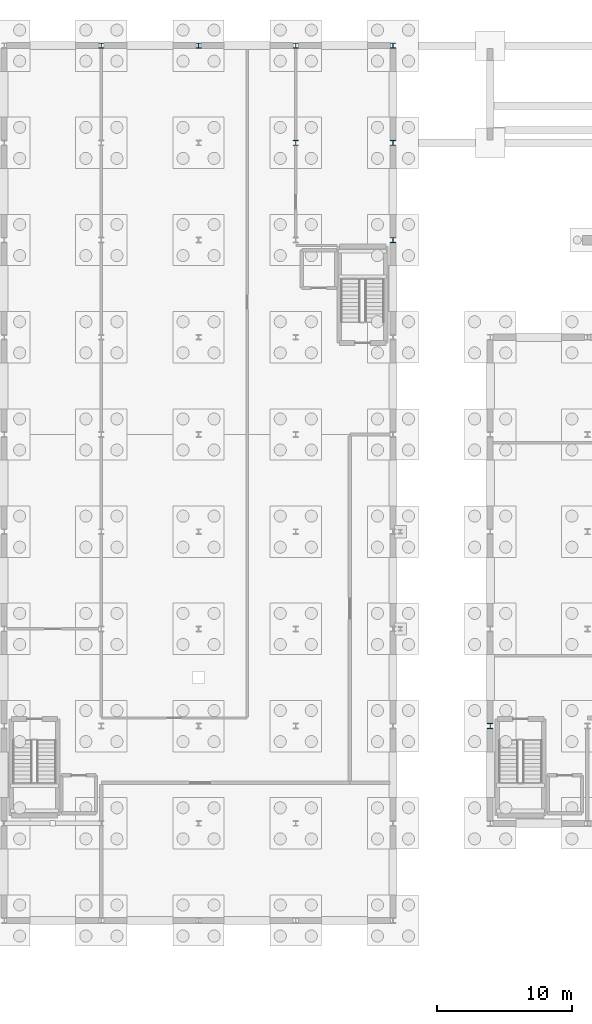
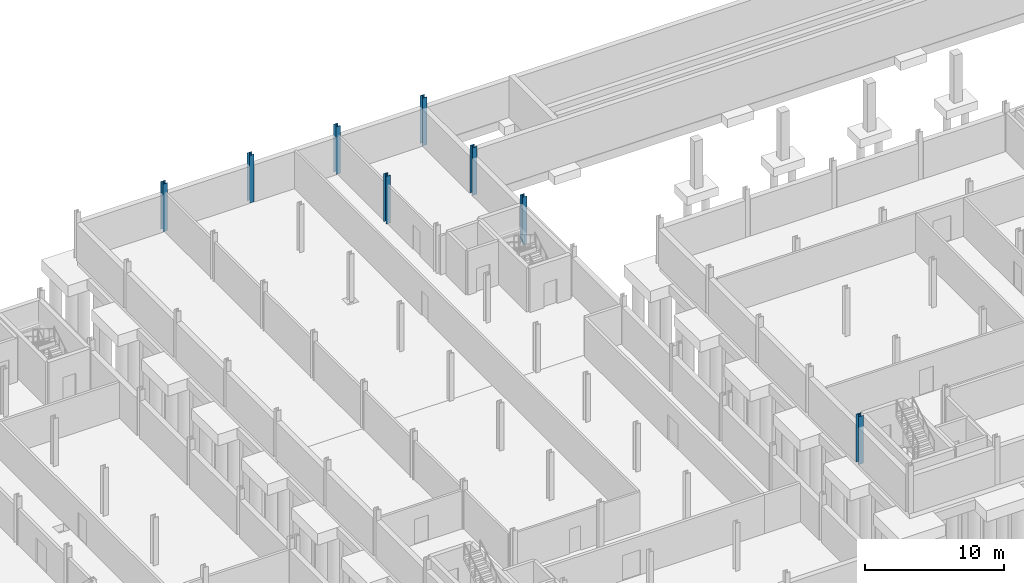
# One storey, part 18 of 50: 8 columns.
"""IFC4 building model written with IfcOpenShell, lengths in metres."""

from ifc_helpers import new_model, si_unit, direction, frame, origin, origin_2d, place, context, subcontext, project, spatial, i_section, extrude, material, material_profile, profile_set, type_object, element, save


model = new_model("IFC4")

# Units and contexts
model_context = context("Model", 3, precision=1e-05, world=origin(), true_north=direction((0.0, 1.0)))
body_context = subcontext(model_context, "Body", "Model", "MODEL_VIEW")
ifc_project = project(units=[si_unit("LENGTHUNIT", "METRE"), si_unit("AREAUNIT", "SQUARE_METRE"), si_unit("VOLUMEUNIT", "CUBIC_METRE"), si_unit("PLANEANGLEUNIT", "RADIAN"), si_unit("MASSUNIT", "GRAM", prefix="KILO")], contexts=[model_context])

# Site, building, storey
site_placement = place(None, origin())
site = spatial("IfcSite", under=ifc_project, at=site_placement, CompositionType="ELEMENT")
building_placement = place(site_placement, origin())
building = spatial("IfcBuilding", under=site, at=building_placement, Name="Narikvali Park Central Library", CompositionType="ELEMENT")
storey_placement = place(building_placement, frame((0.0, 0.0, -4.199951171875)))
storey = spatial("IfcBuildingStorey", under=building, at=storey_placement, Name="B1", CompositionType="ELEMENT", Elevation=-4.199951171875)

# Columns
ifc_material = material(Name="Steel S355", Category="steel")
ifc_material_profile_1 = material_profile(ifc_material, i_section(OverallWidth=0.375, OverallDepth=0.375, WebThickness=0.014892578125, FlangeThickness=0.0244140625, FilletRadius=0.014892578125, at=origin_2d()), Name="HD 360x216")
ifc_profile_set_1 = profile_set([ifc_material_profile_1], Name="Steel S355")
column_type_1 = type_object("IfcColumnType", Name="Atrium Corner Column HD360x216", PredefinedType="COLUMN", material=ifc_profile_set_1)
column_1_placement = place(storey_placement, frame((57.60009765625, 115.199951171875, 0.0), z_axis=(0.0, 0.0, 1.0), x_axis=(1.0, 0.0, 0.0)))
element("IfcColumn", 1, at=column_1_placement, inside=storey, type_object=column_type_1, Name="V4 B1 Column (57.6,115.2)", PredefinedType="COLUMN", context=body_context, shape_type="SweptSolid", body=[
    extrude(i_section(OverallWidth=0.375, OverallDepth=0.375, WebThickness=0.014892578125, FlangeThickness=0.0244140625, FilletRadius=0.014892578125, at=origin_2d()), origin(), (0.0, 0.0, 1.0), 4.199951171875),
])
ifc_material_profile_2 = material_profile(ifc_material, i_section(OverallWidth=0.3759765625, OverallDepth=0.3798828125, WebThickness=0.0166015625, FlangeThickness=0.026611328125, FilletRadius=0.014892578125, at=origin_2d()), Name="HD 360x237")
ifc_profile_set_2 = profile_set([ifc_material_profile_2], Name="Steel S355")
column_type_2 = type_object("IfcColumnType", Name="Atrium Edge Column HD360x237", PredefinedType="COLUMN", material=ifc_profile_set_2)
for number, where, z_axis, x_axis, name in (
    (2, (36.0, 115.199951171875, 0.0), (0.0, 0.0, 1.0), (1.0, 0.0, 0.0), "V4 B1 Column (36.0,115.2)"),
    (3, (43.199951171875, 115.199951171875, 0.0), (0.0, 0.0, 1.0), (1.0, 0.0, 0.0), "V4 B1 Column (43.2,115.2)"),
    (4, (50.39990234375, 115.199951171875, 0.0), (0.0, 0.0, 1.0), (1.0, 0.0, 0.0), "V4 B1 Column (50.4,115.2)"),
    (5, (57.60009765625, 100.800048828125, 0.0), (0.0, 0.0, 1.0), (1.0, 0.0, 0.0), "V4 B1 Column (57.6,100.8)"),
    (6, (57.60009765625, 108.0, 0.0), (0.0, 0.0, 1.0), (1.0, 0.0, 0.0), "V4 B1 Column (57.6,108.0)"),
):
    element("IfcColumn", number, at=place(storey_placement, frame(where, z_axis=z_axis, x_axis=x_axis)), inside=storey, type_object=column_type_2, Name=name, PredefinedType="COLUMN", context=body_context, shape_type="SweptSolid", body=[
        extrude(i_section(OverallWidth=0.3759765625, OverallDepth=0.3798828125, WebThickness=0.0166015625, FlangeThickness=0.026611328125, FilletRadius=0.014892578125, at=origin_2d()), origin(), (0.0, 0.0, 1.0), 4.199951171875),
    ])
ifc_material_profile_3 = material_profile(ifc_material, i_section(OverallWidth=0.3779296875, OverallDepth=0.386962890625, WebThickness=0.01806640625, FlangeThickness=0.029052734375, FilletRadius=0.014892578125, at=origin_2d()), Name="HD 360x262")
ifc_profile_set_3 = profile_set([ifc_material_profile_3], Name="Steel S355")
column_type_3 = type_object("IfcColumnType", Name="Atrium Interior Column HD360x262", PredefinedType="COLUMN", material=ifc_profile_set_3)
column_2_placement = place(storey_placement, frame((50.39990234375, 108.0, 0.0), z_axis=(0.0, 0.0, 1.0), x_axis=(1.0, 0.0, 0.0)))
element("IfcColumn", 7, at=column_2_placement, inside=storey, type_object=column_type_3, Name="V4 B1 Column (50.4,108.0)", PredefinedType="COLUMN", context=body_context, shape_type="SweptSolid", body=[
    extrude(i_section(OverallWidth=0.3779296875, OverallDepth=0.386962890625, WebThickness=0.01806640625, FlangeThickness=0.029052734375, FilletRadius=0.014892578125, at=origin_2d()), origin(), (0.0, 0.0, 1.0), 4.199951171875),
])
ifc_material_profile_4 = material_profile(ifc_material, i_section(OverallWidth=0.40087890625, OverallDepth=0.39892578125, WebThickness=0.0185546875, FlangeThickness=0.029052734375, FilletRadius=0.014892578125, at=origin_2d()), Name="HD 400x314")
ifc_profile_set_4 = profile_set([ifc_material_profile_4], Name="Steel S355")
column_type_4 = type_object("IfcColumnType", Name="Steel Column HD400x314", PredefinedType="COLUMN", material=ifc_profile_set_4)
column_3_placement = place(storey_placement, frame((64.800048828125, 64.800048828125, 0.0), z_axis=(0.0, 0.0, 1.0), x_axis=(1.0, 0.0, 0.0)))
element("IfcColumn", 8, at=column_3_placement, inside=storey, type_object=column_type_4, Name="V1 B1 Column (64.8,64.8)", PredefinedType="COLUMN", context=body_context, shape_type="SweptSolid", body=[
    extrude(i_section(OverallWidth=0.40087890625, OverallDepth=0.39892578125, WebThickness=0.0185546875, FlangeThickness=0.029052734375, FilletRadius=0.014892578125, at=origin_2d()), origin(), (0.0, 0.0, 1.0), 4.199951171875),
])

save(model, "model.ifc")
